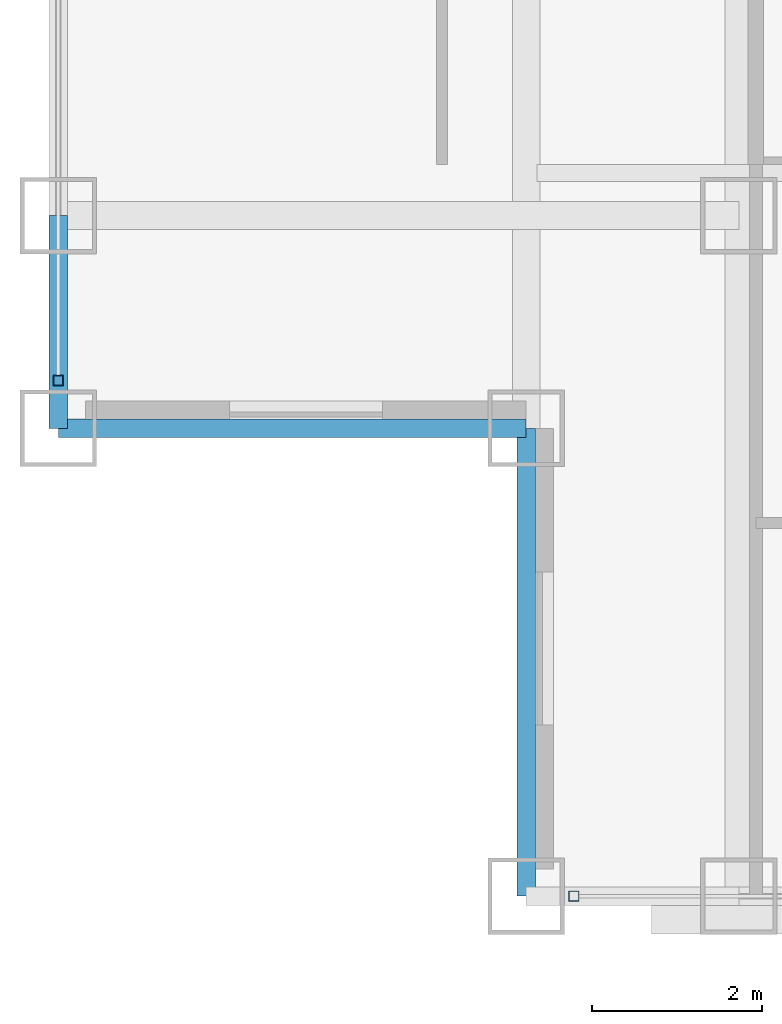
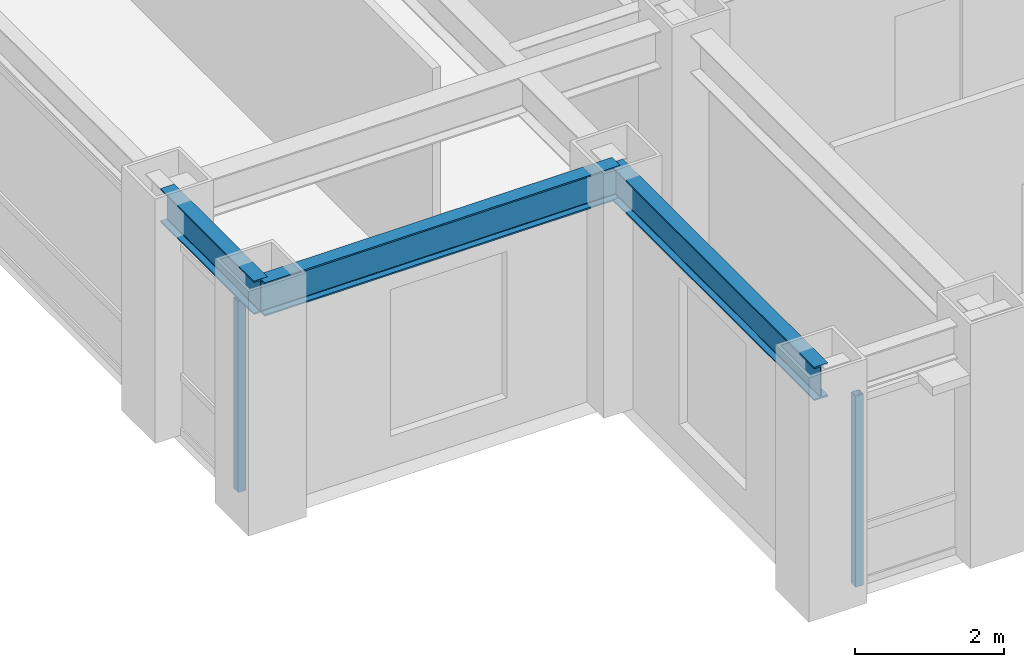
# One storey, part 2 of 27: 3 beams, 2 members, 2 elements without a shape of their own.
"""IFC4 building model written with IfcOpenShell, lengths in metres."""

from ifc_helpers import new_model, si_unit, direction, frame, origin, origin_2d, place, context, subcontext, project, spatial, hollow_rectangle, i_section, extrude, source, transform, mapped, material, material_profile, profile_set, type_object, element, aggregate, save


model = new_model("IFC4")

# Units and contexts
model_context = context("Model", 3, precision=1e-05, world=origin(), true_north=direction((0.0, 1.0)))
body_context = subcontext(model_context, "Body", "Model", "MODEL_VIEW")
ifc_project = project(units=[si_unit("LENGTHUNIT", "METRE"), si_unit("AREAUNIT", "SQUARE_METRE"), si_unit("VOLUMEUNIT", "CUBIC_METRE"), si_unit("PLANEANGLEUNIT", "RADIAN"), si_unit("MASSUNIT", "GRAM", prefix="KILO")], contexts=[model_context])

# Site, building, storey
site_placement = place(None, origin())
site = spatial("IfcSite", under=ifc_project, at=site_placement, CompositionType="ELEMENT")
building_placement = place(site_placement, origin())
building = spatial("IfcBuilding", under=site, at=building_placement, Name="Khorayat Bourse Tower", CompositionType="ELEMENT")
storey_placement = place(building_placement, frame((0.0, 0.0, 281.5)))
storey = spatial("IfcBuildingStorey", under=building, at=storey_placement, Name="L66", CompositionType="ELEMENT", Elevation=281.5)

# Beams
ifc_material_1 = material(Name="Steel ASTM A992 Grade 50", Category="steel")
ifc_material_profile_1 = material_profile(ifc_material_1, i_section(OverallWidth=0.214111328125, OverallDepth=0.549072265625, WebThickness=0.0146484375, FlangeThickness=0.023681640625, FilletRadius=0.013916015625, at=origin_2d()), Name="W530X138")
ifc_profile_set_1 = profile_set([ifc_material_profile_1], Name="Steel ASTM A992 Grade 50")
beam_type = type_object("IfcBeamType", Name="BM-SPAN-530", PredefinedType="SPANDREL", material=ifc_profile_set_1)
shared_shape_1 = source(origin(), body_context, "Body", "SweptSolid", [
    extrude(i_section(OverallWidth=0.214111328125, OverallDepth=0.549072265625, WebThickness=0.0146484375, FlangeThickness=0.023681640625, FilletRadius=0.013916015625, at=origin_2d()), origin(), (0.0, 0.0, 1.0), 2.5),
])
beam_placement = place(storey_placement, frame((-28.0, -22.5, 3.505615234375), z_axis=(0.0, 1.0, 0.0), x_axis=(-1.0, 0.0, 0.0)))
element("IfcBeam", 1, at=beam_placement, inside=storey, type_object=beam_type, Name="L66 BM-SPAN-530 BM-L66-SPN-061", PredefinedType="SPANDREL", context=body_context, shape_type="MappedRepresentation", body=[
    mapped(shared_shape_1, transform((0.0, 0.0, 0.0), scale=1.0)),
])
shared_shape_2 = source(origin(), body_context, "Body", "SweptSolid", [
    extrude(i_section(OverallWidth=0.214111328125, OverallDepth=0.549072265625, WebThickness=0.0146484375, FlangeThickness=0.023681640625, FilletRadius=0.013916015625, at=origin_2d()), origin(), (0.0, 0.0, 1.0), 5.5),
])
for number, where, z_axis, x_axis, name in (
    (2, (-28.0, -22.5, 3.505615234375), (1.0, 0.0, 0.0), (0.0, 1.0, 0.0), "L66 BM-SPAN-530 BM-L66-SPN-062"),
    (3, (-22.5, -28.0, 3.505615234375), (0.0, 1.0, 0.0), (-1.0, 0.0, 0.0), "L66 BM-SPAN-530 BM-L66-SPN-063"),
):
    element("IfcBeam", number, at=place(storey_placement, frame(where, z_axis=z_axis, x_axis=x_axis)), inside=storey, type_object=beam_type, Name=name, PredefinedType="SPANDREL", context=body_context, shape_type="MappedRepresentation", body=[
        mapped(shared_shape_2, transform((0.0, 0.0, 0.0), scale=1.0)),
    ])

# Curtain wall, member
ifc_material_2 = material(Name="Aluminium EN AW-6063 T6", Category="aluminium")
curtain_wall_type = type_object("IfcCurtainWallType", Name="CW-SYS-04", PredefinedType="NOTDEFINED", material=ifc_material_2)
curtain_wall_1_placement = place(storey_placement, origin())
curtain_wall_1 = element("IfcCurtainWall", 4, at=curtain_wall_1_placement, inside=storey, type_object=curtain_wall_type, Name="L66 Curtain Wall CW-L66-S1", PredefinedType="NOTDEFINED")
ifc_material_profile_2 = material_profile(ifc_material_2, hollow_rectangle(XDim=0.1201171875, YDim=0.1201171875, WallThickness=0.0048828125, at=origin_2d()), Name="ALU 120x120x5")
ifc_profile_set_2 = profile_set([ifc_material_profile_2], Name="Aluminium EN AW-6063 T6")
member_type = type_object("IfcMemberType", Name="CWM-VERT-120", PredefinedType="MULLION", material=ifc_profile_set_2)
shared_shape_3 = source(origin(), body_context, "Body", "SweptSolid", [
    extrude(hollow_rectangle(XDim=0.1201171875, YDim=0.1201171875, WallThickness=0.0048828125, at=origin_2d()), origin(), (0.0, 0.0, 1.0), 3.1298828125),
])
member_1_placement = place(storey_placement, frame((-21.93994140625, -28.0, 0.0), z_axis=(0.0, 0.0, 1.0), x_axis=(0.0, 1.0, 0.0)))
member_1 = element("IfcMember", 5, at=member_1_placement, type_object=member_type, Name="CW-L66-S1 Vertical Mullion 1", PredefinedType="MULLION", context=body_context, shape_type="MappedRepresentation", body=[
    mapped(shared_shape_3, transform((0.0, 0.0, 0.0), scale=1.0)),
])
aggregate(curtain_wall_1, [member_1])

curtain_wall_2_placement = place(storey_placement, origin())
curtain_wall_2 = element("IfcCurtainWall", 6, at=curtain_wall_2_placement, inside=storey, type_object=curtain_wall_type, Name="L66 Curtain Wall CW-L66-W1", PredefinedType="NOTDEFINED")
member_2_placement = place(storey_placement, frame((-28.0, -21.93994140625, 0.0), z_axis=(0.0, 0.0, 1.0), x_axis=(-1.0, 0.0, 0.0)))
member_2 = element("IfcMember", 7, at=member_2_placement, type_object=member_type, Name="CW-L66-W1 Vertical Mullion 1", PredefinedType="MULLION", context=body_context, shape_type="MappedRepresentation", body=[
    mapped(shared_shape_3, transform((0.0, 0.0, 0.0), scale=1.0)),
])
aggregate(curtain_wall_2, [member_2])

save(model, "model.ifc")
